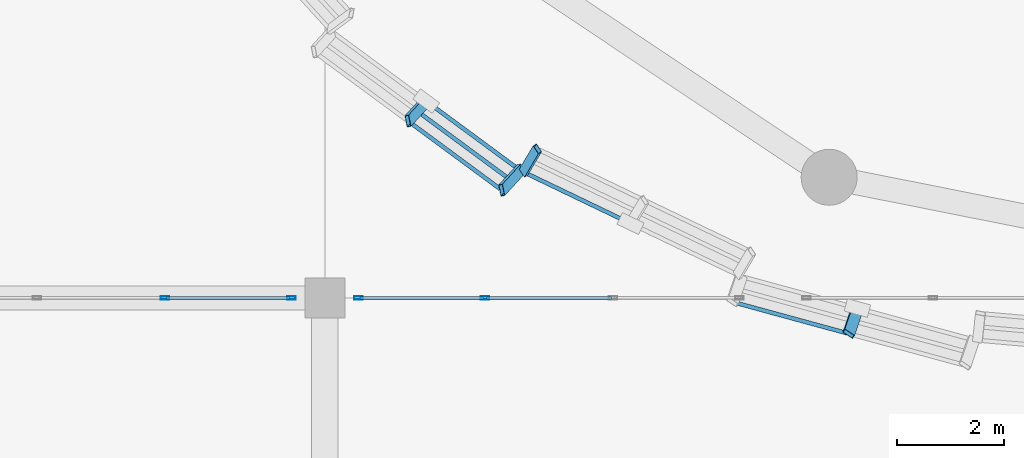
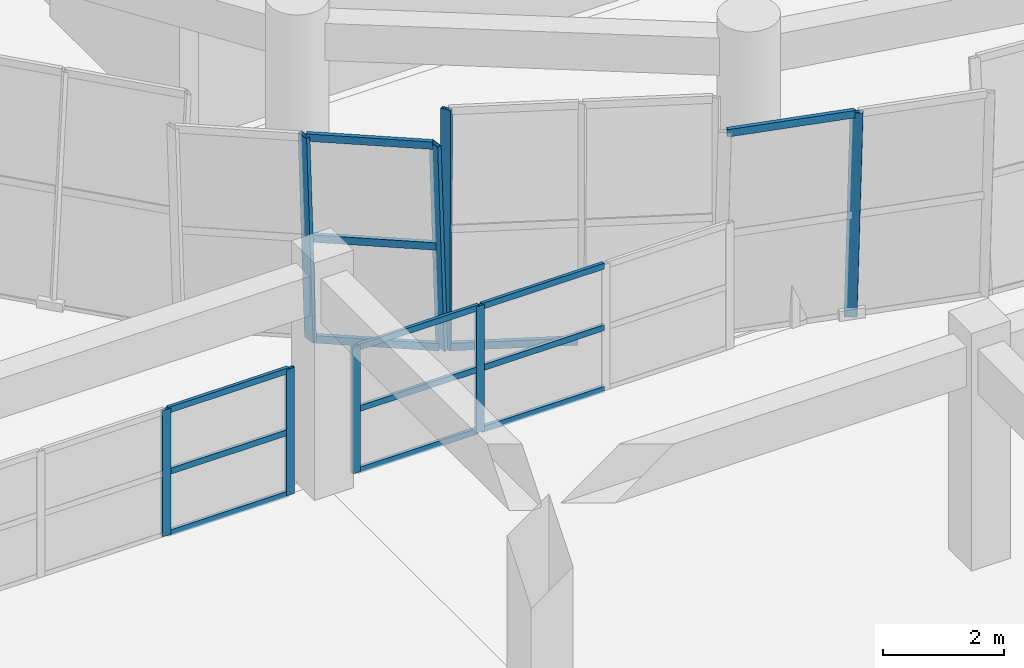
# One storey, part 19 of 72: 22 members, 5 elements without a shape of their own.
"""IFC4 building model written with IfcOpenShell, lengths in metres."""

from ifc_helpers import new_model, si_unit, direction, frame, origin, origin_2d, place, context, subcontext, project, spatial, hollow_rectangle, extrude, material, material_profile, profile_set, type_object, element, aggregate, save


model = new_model("IFC4")

# Units and contexts
model_context = context("Model", 3, precision=1e-05, world=origin(), true_north=direction((0.0, 1.0)))
body_context = subcontext(model_context, "Body", "Model", "MODEL_VIEW")
ifc_project = project(units=[si_unit("LENGTHUNIT", "METRE"), si_unit("AREAUNIT", "SQUARE_METRE"), si_unit("VOLUMEUNIT", "CUBIC_METRE"), si_unit("PLANEANGLEUNIT", "RADIAN"), si_unit("MASSUNIT", "GRAM", prefix="KILO")], contexts=[model_context])

# Site, building, storey
site_placement = place(None, origin())
site = spatial("IfcSite", under=ifc_project, at=site_placement, CompositionType="ELEMENT")
building_placement = place(site_placement, origin())
building = spatial("IfcBuilding", under=site, at=building_placement, Name="Korsvaeld Concert Hall", CompositionType="ELEMENT")
storey_placement = place(building_placement, origin())
storey = spatial("IfcBuildingStorey", under=building, at=storey_placement, Name="L00", CompositionType="ELEMENT", Elevation=0.0)

# Curtain wall, members
ifc_material_1 = material(Name="Anodised bronze and ceramic-fritted safety glass", Category="glass")
curtain_wall_type_1 = type_object("IfcCurtainWallType", Name="CW-TYPE-11", PredefinedType="USERDEFINED", material=ifc_material_1)
curtain_wall_1_placement = place(storey_placement, origin())
curtain_wall_1 = element("IfcCurtainWall", 1, at=curtain_wall_1_placement, inside=storey, type_object=curtain_wall_type_1, Name="Glazed foyer acoustic screen L00-19", ObjectType="CURTAIN WALL", PredefinedType="USERDEFINED")
ifc_material_2 = material(Name="Anodised architectural bronze aluminium", Category="aluminium")
ifc_material_profile_1 = material_profile(ifc_material_2, hollow_rectangle(XDim=0.06005859375, YDim=0.159912109375, WallThickness=0.00390625, at=origin_2d()), Name="CWM 160x60x4")
ifc_profile_set_1 = profile_set([ifc_material_profile_1], Name="Anodised architectural bronze aluminium")
member_type_1 = type_object("IfcMemberType", Name="CWM-ALUM-160x60", PredefinedType="MULLION", material=ifc_profile_set_1)
member_1_placement = place(storey_placement, frame((64.199951171875, 43.199951171875, 0.0), z_axis=(0.0, 0.0, 1.0), x_axis=(0.0, 1.0, 0.0)))
member_1 = element("IfcMember", 2, at=member_1_placement, type_object=member_type_1, Name="CW-11 mullion 3", PredefinedType="MULLION", context=body_context, shape_type="SweptSolid", body=[
    extrude(hollow_rectangle(XDim=0.06005859375, YDim=0.159912109375, WallThickness=0.00390625, at=origin_2d()), origin(), (0.0, 0.0, 1.0), 2.550048828125),
])
member_2_placement = place(storey_placement, frame((66.570068359375, 43.199951171875, 0.0), z_axis=(0.0, 0.0, 1.0), x_axis=(0.0, 1.0, 0.0)))
member_2 = element("IfcMember", 3, at=member_2_placement, type_object=member_type_1, Name="CW-11 mullion 4", PredefinedType="MULLION", context=body_context, shape_type="SweptSolid", body=[
    extrude(hollow_rectangle(XDim=0.06005859375, YDim=0.159912109375, WallThickness=0.00390625, at=origin_2d()), origin(), (0.0, 0.0, 1.0), 2.550048828125),
])

curtain_wall_type_2 = type_object("IfcCurtainWallType", Name="CW-TYPE-12", PredefinedType="USERDEFINED", material=ifc_material_1)
curtain_wall_2_placement = place(storey_placement, origin())
curtain_wall_2 = element("IfcCurtainWall", 4, at=curtain_wall_2_placement, inside=storey, type_object=curtain_wall_type_2, Name="Glazed foyer acoustic screen L00-20", ObjectType="CURTAIN WALL", PredefinedType="USERDEFINED")
member_3_placement = place(storey_placement, frame((67.830078125, 43.199951171875, 0.0), z_axis=(0.0, 0.0, 1.0), x_axis=(0.0, 1.0, 0.0)))
member_3 = element("IfcMember", 5, at=member_3_placement, type_object=member_type_1, Name="CW-12 mullion 1", PredefinedType="MULLION", context=body_context, shape_type="SweptSolid", body=[
    extrude(hollow_rectangle(XDim=0.06005859375, YDim=0.159912109375, WallThickness=0.00390625, at=origin_2d()), origin(), (0.0, 0.0, 1.0), 2.550048828125),
])
member_4_placement = place(storey_placement, frame((70.199951171875, 43.199951171875, 0.0), z_axis=(0.0, 0.0, 1.0), x_axis=(0.0, 1.0, 0.0)))
member_4 = element("IfcMember", 6, at=member_4_placement, type_object=member_type_1, Name="CW-12 mullion 2", PredefinedType="MULLION", context=body_context, shape_type="SweptSolid", body=[
    extrude(hollow_rectangle(XDim=0.06005859375, YDim=0.159912109375, WallThickness=0.00390625, at=origin_2d()), origin(), (0.0, 0.0, 1.0), 2.550048828125),
])

# Curtain wall, member
curtain_wall_type_3 = type_object("IfcCurtainWallType", Name="CW-TYPE-06", PredefinedType="USERDEFINED", material=ifc_material_1)
curtain_wall_3_placement = place(storey_placement, origin())
curtain_wall_3 = element("IfcCurtainWall", 7, at=curtain_wall_3_placement, inside=storey, type_object=curtain_wall_type_3, Name="Crystal curtain-wall facet L00 F22", ObjectType="CURTAIN WALL", PredefinedType="USERDEFINED")
ifc_material_profile_2 = material_profile(ifc_material_2, hollow_rectangle(XDim=0.074951171875, YDim=0.179931640625, WallThickness=0.0048828125, at=origin_2d()), Name="CWM 180x75x5")
ifc_profile_set_2 = profile_set([ifc_material_profile_2], Name="Anodised architectural bronze aluminium")
member_type_2 = type_object("IfcMemberType", Name="CWM-BRONZE-180x75", PredefinedType="MULLION", material=ifc_profile_set_2)
member_5_placement = place(storey_placement, frame((70.92236328125, 45.556640625, 0.0), z_axis=(0.057881883309, 0.097245895625, 0.993575826683), x_axis=(-0.830039893738, -0.548293630811, 0.102018964978)))
member_5 = element("IfcMember", 8, at=member_5_placement, type_object=member_type_2, Name="CW-CRYS-L00-F22 crystal mullion 1", PredefinedType="MULLION", context=body_context, shape_type="SweptSolid", body=[
    extrude(hollow_rectangle(XDim=0.074951171875, YDim=0.179931640625, WallThickness=0.0048828125, at=origin_2d()), origin(), (0.0, 0.0, 1.0), 4.509033203125),
])

# Curtain wall, members
curtain_wall_type_4 = type_object("IfcCurtainWallType", Name="CW-TYPE-05", PredefinedType="USERDEFINED", material=ifc_material_1)
curtain_wall_4_placement = place(storey_placement, origin())
curtain_wall_4 = element("IfcCurtainWall", 9, at=curtain_wall_4_placement, inside=storey, type_object=curtain_wall_type_4, Name="Crystal curtain-wall facet L00 F21", ObjectType="CURTAIN WALL", PredefinedType="USERDEFINED")
ifc_material_profile_3 = material_profile(ifc_material_2, hollow_rectangle(XDim=0.074951171875, YDim=0.219970703125, WallThickness=0.006103515625, at=origin_2d()), Name="CWM 220x75x6")
ifc_profile_set_3 = profile_set([ifc_material_profile_3], Name="Anodised architectural bronze aluminium")
member_type_3 = type_object("IfcMemberType", Name="CWM-BRONZE-220x75", PredefinedType="MULLION", material=ifc_profile_set_3)
member_6_placement = place(storey_placement, frame((69.100341796875, 46.89111328125, 0.0), z_axis=(-0.076345198991, -0.083600700172, 0.99357049751), x_axis=(0.977470985896, 0.190384528217, 0.091127400637)))
member_6 = element("IfcMember", 10, at=member_6_placement, type_object=member_type_3, Name="CW-CRYS-L00-F21 crystal mullion 2", PredefinedType="MULLION", context=body_context, shape_type="SweptSolid", body=[
    extrude(hollow_rectangle(XDim=0.074951171875, YDim=0.219970703125, WallThickness=0.006103515625, at=origin_2d()), origin(), (0.0, 0.0, 1.0), 4.509033203125),
])
member_7_placement = place(storey_placement, frame((70.8583984375, 45.594970703125, 0.0), z_axis=(-0.076345544466, -0.083546932703, 0.993574993584), x_axis=(0.977534797756, 0.190071839955, 0.091095635634)))
member_7 = element("IfcMember", 11, at=member_7_placement, type_object=member_type_3, Name="CW-CRYS-L00-F21 crystal mullion 3", PredefinedType="MULLION", context=body_context, shape_type="SweptSolid", body=[
    extrude(hollow_rectangle(XDim=0.074951171875, YDim=0.219970703125, WallThickness=0.006103515625, at=origin_2d()), origin(), (0.0, 0.0, 1.0), 4.509033203125),
])

# Curtain wall, member
curtain_wall_type_5 = type_object("IfcCurtainWallType", Name="CW-TYPE-07", PredefinedType="USERDEFINED", material=ifc_material_1)
curtain_wall_5_placement = place(storey_placement, origin())
curtain_wall_5 = element("IfcCurtainWall", 12, at=curtain_wall_5_placement, inside=storey, type_object=curtain_wall_type_5, Name="Crystal curtain-wall facet L00 F23", ObjectType="CURTAIN WALL", PredefinedType="USERDEFINED")
member_8_placement = place(storey_placement, frame((77.182373046875, 43.010498046875, 0.0), z_axis=(-0.036223576752, -0.10720879218, 0.993576432574), x_axis=(0.555933246897, 0.824025194694, 0.10918197426)))
member_8 = element("IfcMember", 13, at=member_8_placement, type_object=member_type_3, Name="CW-CRYS-L00-F23 crystal mullion 2", PredefinedType="MULLION", context=body_context, shape_type="SweptSolid", body=[
    extrude(hollow_rectangle(XDim=0.074951171875, YDim=0.219970703125, WallThickness=0.006103515625, at=origin_2d()), origin(), (0.0, 0.0, 1.0), 4.509033203125),
])

# Member
ifc_material_profile_4 = material_profile(ifc_material_2, hollow_rectangle(XDim=0.06005859375, YDim=0.1201171875, WallThickness=0.00390625, at=origin_2d()), Name="CWT 120x60x4")
ifc_profile_set_4 = profile_set([ifc_material_profile_4], Name="Anodised architectural bronze aluminium")
member_type_4 = type_object("IfcMemberType", Name="CWT-ALUM-120x60", PredefinedType="USERDEFINED", material=ifc_profile_set_4)
member_9_placement = place(storey_placement, frame((64.22998046875, 43.199951171875, 0.030029296875), z_axis=(1.0, 0.0, 0.0), x_axis=(0.0, 1.0, 0.0)))
member_9 = element("IfcMember", 14, at=member_9_placement, type_object=member_type_4, Name="CW-11 transom 3.1", ObjectType="TRANSOM", PredefinedType="USERDEFINED", context=body_context, shape_type="SweptSolid", body=[
    extrude(hollow_rectangle(XDim=0.06005859375, YDim=0.1201171875, WallThickness=0.00390625, at=origin_2d()), origin(), (0.0, 0.0, 1.0), 2.31005859375),
])

member_10_placement = place(storey_placement, frame((64.22998046875, 43.199951171875, 1.27490234375), z_axis=(1.0, 0.0, 0.0), x_axis=(0.0, 1.0, 0.0)))
member_10 = element("IfcMember", 15, at=member_10_placement, type_object=member_type_4, Name="CW-11 transom 3.2", ObjectType="TRANSOM", PredefinedType="USERDEFINED", context=body_context, shape_type="SweptSolid", body=[
    extrude(hollow_rectangle(XDim=0.06005859375, YDim=0.1201171875, WallThickness=0.00390625, at=origin_2d()), origin(), (0.0, 0.0, 1.0), 2.31005859375),
])

member_11_placement = place(storey_placement, frame((64.22998046875, 43.199951171875, 2.52001953125), z_axis=(1.0, 0.0, 0.0), x_axis=(0.0, 1.0, 0.0)))
member_11 = element("IfcMember", 16, at=member_11_placement, type_object=member_type_4, Name="CW-11 transom 3.3", ObjectType="TRANSOM", PredefinedType="USERDEFINED", context=body_context, shape_type="SweptSolid", body=[
    extrude(hollow_rectangle(XDim=0.06005859375, YDim=0.1201171875, WallThickness=0.00390625, at=origin_2d()), origin(), (0.0, 0.0, 1.0), 2.31005859375),
])

aggregate(curtain_wall_1, [member_1, member_2, member_9, member_10, member_11])

member_12_placement = place(storey_placement, frame((67.860107421875, 43.199951171875, 0.030029296875), z_axis=(1.0, 0.0, 0.0), x_axis=(0.0, 1.0, 0.0)))
member_12 = element("IfcMember", 17, at=member_12_placement, type_object=member_type_4, Name="CW-12 transom 1.1", ObjectType="TRANSOM", PredefinedType="USERDEFINED", context=body_context, shape_type="SweptSolid", body=[
    extrude(hollow_rectangle(XDim=0.06005859375, YDim=0.1201171875, WallThickness=0.00390625, at=origin_2d()), origin(), (0.0, 0.0, 1.0), 2.309814453125),
])

member_13_placement = place(storey_placement, frame((67.860107421875, 43.199951171875, 1.27490234375), z_axis=(1.0, 0.0, 0.0), x_axis=(0.0, 1.0, 0.0)))
member_13 = element("IfcMember", 18, at=member_13_placement, type_object=member_type_4, Name="CW-12 transom 1.2", ObjectType="TRANSOM", PredefinedType="USERDEFINED", context=body_context, shape_type="SweptSolid", body=[
    extrude(hollow_rectangle(XDim=0.06005859375, YDim=0.1201171875, WallThickness=0.00390625, at=origin_2d()), origin(), (0.0, 0.0, 1.0), 2.309814453125),
])

member_14_placement = place(storey_placement, frame((67.860107421875, 43.199951171875, 2.52001953125), z_axis=(1.0, 0.0, 0.0), x_axis=(0.0, 1.0, 0.0)))
member_14 = element("IfcMember", 19, at=member_14_placement, type_object=member_type_4, Name="CW-12 transom 1.3", ObjectType="TRANSOM", PredefinedType="USERDEFINED", context=body_context, shape_type="SweptSolid", body=[
    extrude(hollow_rectangle(XDim=0.06005859375, YDim=0.1201171875, WallThickness=0.00390625, at=origin_2d()), origin(), (0.0, 0.0, 1.0), 2.309814453125),
])

member_15_placement = place(storey_placement, frame((70.22998046875, 43.199951171875, 0.030029296875), z_axis=(1.0, 0.0, 0.0), x_axis=(0.0, 1.0, 0.0)))
member_15 = element("IfcMember", 20, at=member_15_placement, type_object=member_type_4, Name="CW-12 transom 2.1", ObjectType="TRANSOM", PredefinedType="USERDEFINED", context=body_context, shape_type="SweptSolid", body=[
    extrude(hollow_rectangle(XDim=0.06005859375, YDim=0.1201171875, WallThickness=0.00390625, at=origin_2d()), origin(), (0.0, 0.0, 1.0), 2.340087890625),
])

member_16_placement = place(storey_placement, frame((70.22998046875, 43.199951171875, 1.27490234375), z_axis=(1.0, 0.0, 0.0), x_axis=(0.0, 1.0, 0.0)))
member_16 = element("IfcMember", 21, at=member_16_placement, type_object=member_type_4, Name="CW-12 transom 2.2", ObjectType="TRANSOM", PredefinedType="USERDEFINED", context=body_context, shape_type="SweptSolid", body=[
    extrude(hollow_rectangle(XDim=0.06005859375, YDim=0.1201171875, WallThickness=0.00390625, at=origin_2d()), origin(), (0.0, 0.0, 1.0), 2.340087890625),
])

member_17_placement = place(storey_placement, frame((70.22998046875, 43.199951171875, 2.52001953125), z_axis=(1.0, 0.0, 0.0), x_axis=(0.0, 1.0, 0.0)))
member_17 = element("IfcMember", 22, at=member_17_placement, type_object=member_type_4, Name="CW-12 transom 2.3", ObjectType="TRANSOM", PredefinedType="USERDEFINED", context=body_context, shape_type="SweptSolid", body=[
    extrude(hollow_rectangle(XDim=0.06005859375, YDim=0.1201171875, WallThickness=0.00390625, at=origin_2d()), origin(), (0.0, 0.0, 1.0), 2.340087890625),
])

aggregate(curtain_wall_2, [member_3, member_4, member_12, member_13, member_14, member_15, member_16, member_17])

ifc_material_profile_5 = material_profile(ifc_material_2, hollow_rectangle(XDim=0.074951171875, YDim=0.14990234375, WallThickness=0.0048828125, at=origin_2d()), Name="CWT 150x75x5")
ifc_profile_set_5 = profile_set([ifc_material_profile_5], Name="Anodised architectural bronze aluminium")
member_type_5 = type_object("IfcMemberType", Name="CWT-BRONZE-150x75", PredefinedType="USERDEFINED", material=ifc_profile_set_5)
member_18_placement = place(storey_placement, frame((69.128173828125, 46.8662109375, 0.030029296875), z_axis=(0.804945265899, -0.593349070031, 0.0), x_axis=(0.593349070031, 0.804945265899, 0.0)))
member_18 = element("IfcMember", 23, at=member_18_placement, type_object=member_type_5, Name="CW-CRYS-L00-F21 crystal transom 2.1", ObjectType="TRANSOM", PredefinedType="USERDEFINED", context=body_context, shape_type="SweptSolid", body=[
    extrude(hollow_rectangle(XDim=0.074951171875, YDim=0.14990234375, WallThickness=0.0048828125, at=origin_2d()), origin(), (0.0, 0.0, 1.0), 2.109130859375),
])

member_19_placement = place(storey_placement, frame((68.95849609375, 46.680419921875, 2.239990234375), z_axis=(0.804904507896, -0.593404358906, 0.0), x_axis=(0.593404358906, 0.804904507896, 0.0)))
member_19 = element("IfcMember", 24, at=member_19_placement, type_object=member_type_5, Name="CW-CRYS-L00-F21 crystal transom 2.2", ObjectType="TRANSOM", PredefinedType="USERDEFINED", context=body_context, shape_type="SweptSolid", body=[
    extrude(hollow_rectangle(XDim=0.074951171875, YDim=0.14990234375, WallThickness=0.0048828125, at=origin_2d()), origin(), (0.0, 0.0, 1.0), 2.10888671875),
])

member_20_placement = place(storey_placement, frame((68.78857421875, 46.494384765625, 4.449951171875), z_axis=(0.804904507896, -0.593404358906, 0.0), x_axis=(0.593404358906, 0.804904507896, 0.0)))
member_20 = element("IfcMember", 25, at=member_20_placement, type_object=member_type_5, Name="CW-CRYS-L00-F21 crystal transom 2.3", ObjectType="TRANSOM", PredefinedType="USERDEFINED", context=body_context, shape_type="SweptSolid", body=[
    extrude(hollow_rectangle(XDim=0.074951171875, YDim=0.14990234375, WallThickness=0.0048828125, at=origin_2d()), origin(), (0.0, 0.0, 1.0), 2.10888671875),
])

aggregate(curtain_wall_4, [member_6, member_7, member_18, member_19, member_20])

member_21_placement = place(storey_placement, frame((70.957763671875, 45.543212890625, 0.030029296875), z_axis=(0.901508884705, -0.432760592935, 0.0), x_axis=(0.432760592935, 0.901508884705, 0.0)))
member_21 = element("IfcMember", 26, at=member_21_placement, type_object=member_type_5, Name="CW-CRYS-L00-F22 crystal transom 1.1", ObjectType="TRANSOM", PredefinedType="USERDEFINED", context=body_context, shape_type="SweptSolid", body=[
    extrude(hollow_rectangle(XDim=0.074951171875, YDim=0.14990234375, WallThickness=0.0048828125, at=origin_2d()), origin(), (0.0, 0.0, 1.0), 2.150634765625),
])

aggregate(curtain_wall_3, [member_5, member_21])

member_22_placement = place(storey_placement, frame((74.87890625, 43.11376953125, 4.449951171875), z_axis=(0.964805126409, -0.262965906641, 0.0), x_axis=(0.262965906641, 0.964805126409, 0.0)))
member_22 = element("IfcMember", 27, at=member_22_placement, type_object=member_type_5, Name="CW-CRYS-L00-F23 crystal transom 1.3", ObjectType="TRANSOM", PredefinedType="USERDEFINED", context=body_context, shape_type="SweptSolid", body=[
    extrude(hollow_rectangle(XDim=0.074951171875, YDim=0.14990234375, WallThickness=0.0048828125, at=origin_2d()), origin(), (0.0, 0.0, 1.0), 2.181884765625),
])

aggregate(curtain_wall_5, [member_8, member_22])

save(model, "model.ifc")
